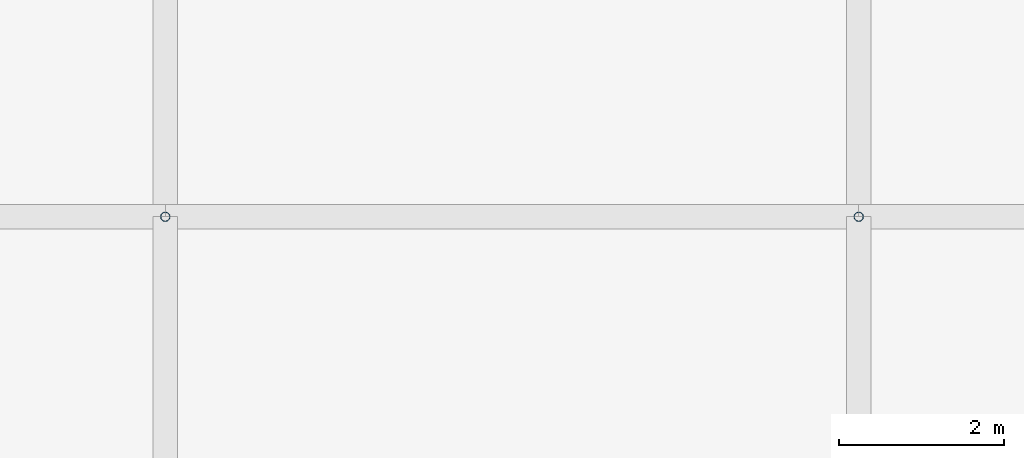
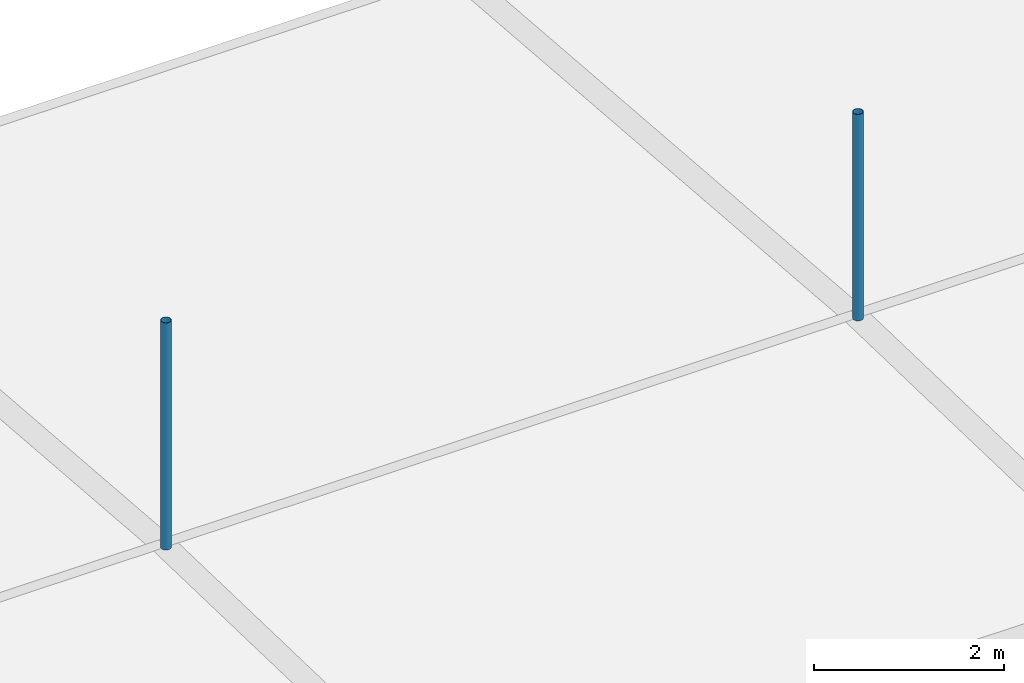
# One storey, part 27 of 37: 2 discrete accessories.
"""IFC4 building model written with IfcOpenShell, lengths in metres."""

from ifc_helpers import new_model, si_unit, direction, frame, origin, origin_2d, place, context, subcontext, project, spatial, hollow_circle, extrude, material, material_profile, profile_set, type_object, element, save


model = new_model("IFC4")

# Units and contexts
model_context = context("Model", 3, precision=1e-05, world=origin(), true_north=direction((0.0, 1.0)))
body_context = subcontext(model_context, "Body", "Model", "MODEL_VIEW")
ifc_project = project(units=[si_unit("LENGTHUNIT", "METRE"), si_unit("AREAUNIT", "SQUARE_METRE"), si_unit("VOLUMEUNIT", "CUBIC_METRE"), si_unit("PLANEANGLEUNIT", "RADIAN"), si_unit("MASSUNIT", "GRAM", prefix="KILO")], contexts=[model_context])

# Site, building, storey
site_placement = place(None, origin())
site = spatial("IfcSite", under=ifc_project, at=site_placement, CompositionType="ELEMENT")
building_placement = place(site_placement, origin())
building = spatial("IfcBuilding", under=site, at=building_placement, Name="Rain Tree Exposition and Congress Centre", CompositionType="ELEMENT")
storey_placement = place(building_placement, frame((0.0, 0.0, 25.0)))
storey = spatial("IfcBuildingStorey", under=building, at=storey_placement, Name="ROOF VAULT LOW", CompositionType="ELEMENT", Elevation=25.0)

# Discrete accessories
ifc_material = material(Name="Steel S355J2H", Category="steel")
ifc_material_profile = material_profile(ifc_material, hollow_circle(Radius=0.05712890625, WallThickness=0.00439453125, at=origin_2d()), Name="CHS 114x4.5")
ifc_profile_set = profile_set([ifc_material_profile], Name="Steel S355J2H")
discrete_accessory_type = type_object("IfcDiscreteAccessoryType", Name="Roof skin post CHS 114x4.5", PredefinedType="BRACKET", material=ifc_profile_set)
discrete_accessory_1_placement = place(storey_placement, frame((109.199951171875, 159.60009765625, 1.1728515625), z_axis=(0.0, 0.0, 1.0), x_axis=(1.0, 0.0, 0.0)))
element("IfcDiscreteAccessory", 1, at=discrete_accessory_1_placement, inside=storey, type_object=discrete_accessory_type, Name="Roof skin post A118", PredefinedType="BRACKET", context=body_context, shape_type="SweptSolid", body=[
    extrude(hollow_circle(Radius=0.05712890625, WallThickness=0.00439453125, at=origin_2d()), origin(), (0.0, 0.0, 1.0), 2.9140625),
])
discrete_accessory_2_placement = place(storey_placement, frame((117.60009765625, 159.60009765625, 1.1728515625), z_axis=(0.0, 0.0, 1.0), x_axis=(1.0, 0.0, 0.0)))
element("IfcDiscreteAccessory", 2, at=discrete_accessory_2_placement, inside=storey, type_object=discrete_accessory_type, Name="Roof skin post A119", PredefinedType="BRACKET", context=body_context, shape_type="SweptSolid", body=[
    extrude(hollow_circle(Radius=0.05712890625, WallThickness=0.00439453125, at=origin_2d()), origin(), (0.0, 0.0, 1.0), 2.64892578125),
])

save(model, "model.ifc")
